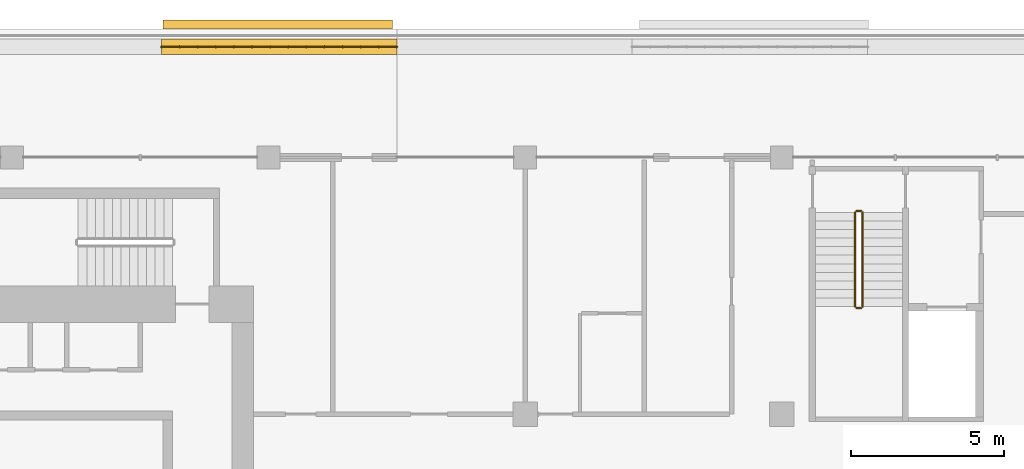
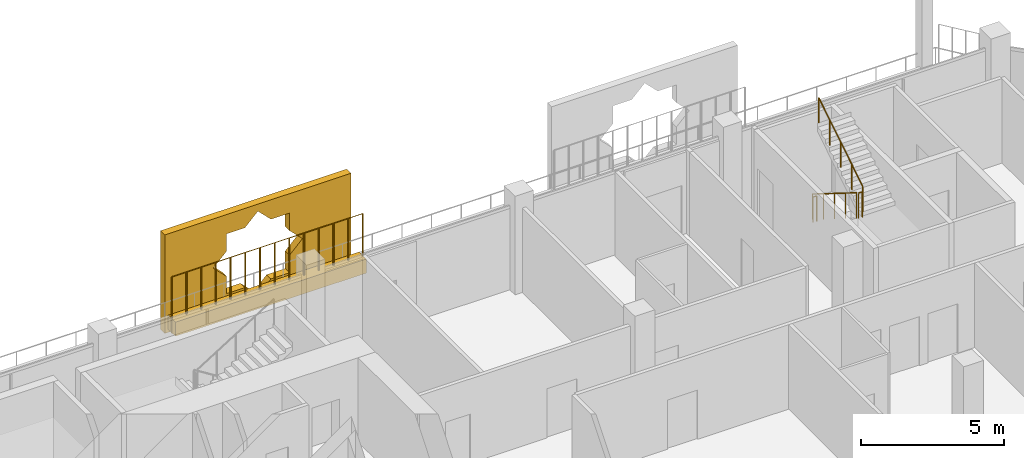
# One storey, part 20 of 21: 5 railings, 2 coverings.
"""IFC4 building model written with IfcOpenShell, lengths in metres."""

from ifc_helpers import new_model, si_unit, direction, frame, origin, origin_2d, place, context, subcontext, project, spatial, polyline, rectangle, circle, outline, extrude, material, material_profile, profile_set, type_object, element, save


model = new_model("IFC4")

# Units and contexts
model_context = context("Model", 3, precision=1e-05, world=origin(), true_north=direction((0.0, 1.0)))
body_context = subcontext(model_context, "Body", "Model", "MODEL_VIEW")
ifc_project = project(units=[si_unit("LENGTHUNIT", "METRE"), si_unit("AREAUNIT", "SQUARE_METRE"), si_unit("VOLUMEUNIT", "CUBIC_METRE"), si_unit("PLANEANGLEUNIT", "RADIAN"), si_unit("MASSUNIT", "GRAM", prefix="KILO")], contexts=[model_context])

# Site, building, storey
site_placement = place(None, origin())
site = spatial("IfcSite", under=ifc_project, at=site_placement, CompositionType="ELEMENT")
building_placement = place(site_placement, origin())
building = spatial("IfcBuilding", under=site, at=building_placement, Name="Kawkab Arch Medical Tower", CompositionType="ELEMENT")
storey_placement = place(building_placement, frame((0.0, 0.0, 302.800048828125)))
storey = spatial("IfcBuildingStorey", under=building, at=storey_placement, Name="L70", CompositionType="ELEMENT", Elevation=302.800048828125)

# Coverings
ifc_material_1 = material(Name="Bronze anodised aluminium mashrabiya panel, eight-point star pattern", Category="aluminium")
ifc_material_profile_1 = material_profile(ifc_material_1, outline(polyline([(-3.75, -2.10009765625), (3.75, -2.10009765625), (3.75, 2.10009765625), (-3.75, 2.10009765625), (-3.75, -2.10009765625)]), holes=[polyline([(1.800048828125, 0.0), (1.272705078125, 0.527099609375), (1.272705078125, 1.272705078125), (0.527099609375, 1.272705078125), (0.0, 1.800048828125), (-0.527099609375, 1.272705078125), (-1.272705078125, 1.272705078125), (-1.272705078125, 0.527099609375), (-1.800048828125, 0.0), (-1.272705078125, -0.527099609375), (-1.272705078125, -1.272705078125), (-0.527099609375, -1.272705078125), (0.0, -1.800048828125), (0.527099609375, -1.272705078125), (1.272705078125, -1.272705078125), (1.272705078125, -0.527099609375), (1.800048828125, 0.0)])]), Name="Mashrabiya panel 7500x4200")
ifc_profile_set_1 = profile_set([ifc_material_profile_1], Name="Bronze anodised aluminium mashrabiya panel, eight-point star pattern")
covering_type_1 = type_object("IfcCoveringType", Name="Mashrabiya panel 7500 x 4200", PredefinedType="USERDEFINED", material=ifc_profile_set_1)
covering_1_placement = place(storey_placement, frame((25.500732421875, 4.199951171875, 1.699951171875), z_axis=(0.0, 1.0, 0.0), x_axis=(-1.0, 0.0, 0.0)))
element("IfcCovering", 1, at=covering_1_placement, inside=storey, type_object=covering_type_1, Name="Mashrabiya panel L70.LOG-01-01.4", ObjectType="SCREEN", PredefinedType="USERDEFINED", context=body_context, shape_type="SweptSolid", body=[
    extrude(outline(polyline([(-3.75, -2.10009765625), (3.75, -2.10009765625), (3.75, 2.10009765625), (-3.75, 2.10009765625), (-3.75, -2.10009765625)]), holes=[polyline([(1.800048828125, 0.0), (1.272705078125, 0.527099609375), (1.272705078125, 1.272705078125), (0.527099609375, 1.272705078125), (0.0, 1.800048828125), (-0.527099609375, 1.272705078125), (-1.272705078125, 1.272705078125), (-1.272705078125, 0.527099609375), (-1.800048828125, 0.0), (-1.272705078125, -0.527099609375), (-1.272705078125, -1.272705078125), (-0.527099609375, -1.272705078125), (0.0, -1.800048828125), (0.527099609375, -1.272705078125), (1.272705078125, -1.272705078125), (1.272705078125, -0.527099609375), (1.800048828125, 0.0)])]), origin(), (0.0, 0.0, 1.0), 0.300048828125),
])
ifc_material_2 = material(Name="Planting soil in a precast trough", Category="concrete")
ifc_material_profile_2 = material_profile(ifc_material_2, rectangle(XDim=0.5, YDim=0.60009765625, at=origin_2d()), Name="Trough 500x600")
ifc_profile_set_2 = profile_set([ifc_material_profile_2], Name="Planting soil in a precast trough")
covering_type_2 = type_object("IfcCoveringType", Name="Planter trough 500 x 600", PredefinedType="USERDEFINED", material=ifc_profile_set_2)
covering_2_placement = place(storey_placement, frame((21.695068359375, 3.6201171875, 0.300048828125), z_axis=(1.0, 0.0, 0.0), x_axis=(0.0, 1.0, 0.0)))
element("IfcCovering", 2, at=covering_2_placement, inside=storey, type_object=covering_type_2, Name="Planter L70.LOG-01-01.15", ObjectType="PLANTER", PredefinedType="USERDEFINED", context=body_context, shape_type="SweptSolid", body=[
    extrude(rectangle(XDim=0.5, YDim=0.60009765625, at=origin_2d()), origin(), (0.0, 0.0, 1.0), 7.704833984375),
])

# Railings
ifc_material_3 = material(Name="Bronze anodised aluminium trellis for climbing plants", Category="aluminium")
railing_type_1 = type_object("IfcRailingType", Name="Planting trellis 2400", PredefinedType="USERDEFINED", material=ifc_material_3)
railing_1_placement = place(storey_placement, frame((21.695068359375, 3.6201171875, 0.0)))
element("IfcRailing", 3, at=railing_1_placement, inside=storey, type_object=railing_type_1, Name="Planting trellis L70.LOG-01-01.15", ObjectType="TRELLIS", PredefinedType="USERDEFINED", context=body_context, shape_type="SweptSolid", body=[
    extrude(circle(Radius=0.01513671875, at=origin_2d()), frame((0.0, 0.0, 2.384765625), z_axis=(1.0, 0.0, 0.0), x_axis=(0.0, 1.0, 0.0)), (0.0, 0.0, 1.0), 7.704833984375),
    extrude(circle(Radius=0.030029296875, at=origin_2d()), origin(), (0.0, 0.0, 1.0), 2.369873046875),
    extrude(circle(Radius=0.030029296875, at=origin_2d()), frame((0.5927734375, 0.0, 0.0)), (0.0, 0.0, 1.0), 2.369873046875),
    extrude(circle(Radius=0.030029296875, at=origin_2d()), frame((1.185302734375, 0.0, 0.0)), (0.0, 0.0, 1.0), 2.369873046875),
    extrude(circle(Radius=0.030029296875, at=origin_2d()), frame((1.778076171875, 0.0, 0.0)), (0.0, 0.0, 1.0), 2.369873046875),
    extrude(circle(Radius=0.030029296875, at=origin_2d()), frame((2.37060546875, 0.0, 0.0)), (0.0, 0.0, 1.0), 2.369873046875),
    extrude(circle(Radius=0.030029296875, at=origin_2d()), frame((2.96337890625, 0.0, 0.0)), (0.0, 0.0, 1.0), 2.369873046875),
    extrude(circle(Radius=0.030029296875, at=origin_2d()), frame((3.55615234375, 0.0, 0.0)), (0.0, 0.0, 1.0), 2.369873046875),
    extrude(circle(Radius=0.030029296875, at=origin_2d()), frame((4.148681640625, 0.0, 0.0)), (0.0, 0.0, 1.0), 2.369873046875),
    extrude(circle(Radius=0.030029296875, at=origin_2d()), frame((4.741455078125, 0.0, 0.0)), (0.0, 0.0, 1.0), 2.369873046875),
    extrude(circle(Radius=0.030029296875, at=origin_2d()), frame((5.334228515625, 0.0, 0.0)), (0.0, 0.0, 1.0), 2.369873046875),
    extrude(circle(Radius=0.030029296875, at=origin_2d()), frame((5.9267578125, 0.0, 0.0)), (0.0, 0.0, 1.0), 2.369873046875),
    extrude(circle(Radius=0.030029296875, at=origin_2d()), frame((6.51953125, 0.0, 0.0)), (0.0, 0.0, 1.0), 2.369873046875),
    extrude(circle(Radius=0.030029296875, at=origin_2d()), frame((7.112060546875, 0.0, 0.0)), (0.0, 0.0, 1.0), 2.369873046875),
    extrude(circle(Radius=0.030029296875, at=origin_2d()), frame((7.704833984375, 0.0, 0.0)), (0.0, 0.0, 1.0), 2.369873046875),
])
ifc_material_4 = material(Name="Stainless steel", Category="steel")
railing_type_2 = type_object("IfcRailingType", Name="Stair guard 1100", PredefinedType="GUARDRAIL", material=ifc_material_4)
railing_2_placement = place(storey_placement, frame((44.39990234375, -1.800048828125, 0.175048828125)))
element("IfcRailing", 4, at=railing_2_placement, inside=storey, type_object=railing_type_2, Name="L70 ST5 stair guard 1", PredefinedType="GUARDRAIL", context=body_context, shape_type="SweptSolid", body=[
    extrude(circle(Radius=0.02392578125, at=origin_2d()), frame((0.0, 0.0, 1.076171875), z_axis=(0.0, -0.848009633417, 0.529980812513), x_axis=(1.0, 0.0, 0.0)), (0.0, 0.0, 1.0), 3.6318359375),
    extrude(circle(Radius=0.02099609375, at=origin_2d()), origin(), (0.0, 0.0, 1.0), 1.052001953125),
    extrude(circle(Radius=0.02099609375, at=origin_2d()), frame((0.0, -0.77001953125, 0.481201171875)), (0.0, 0.0, 1.0), 1.052001953125),
    extrude(circle(Radius=0.02099609375, at=origin_2d()), frame((0.0, -1.5400390625, 0.96240234375)), (0.0, 0.0, 1.0), 1.052001953125),
    extrude(circle(Radius=0.02099609375, at=origin_2d()), frame((0.0, -2.309814453125, 1.443603515625)), (0.0, 0.0, 1.0), 1.052001953125),
    extrude(circle(Radius=0.02099609375, at=origin_2d()), frame((0.0, -3.079833984375, 1.9248046875)), (0.0, 0.0, 1.0), 1.052001953125),
])
railing_3_placement = place(storey_placement, frame((44.449951171875, -4.929931640625, 2.099853515625)))
element("IfcRailing", 5, at=railing_3_placement, inside=storey, type_object=railing_type_2, Name="L70 ST5 stair guard 2", PredefinedType="GUARDRAIL", context=body_context, shape_type="SweptSolid", body=[
    extrude(circle(Radius=0.02392578125, at=origin_2d()), frame((0.0, 0.0, 1.076171875), z_axis=(1.0, 0.0, 0.0), x_axis=(0.0, 1.0, 0.0)), (0.0, 0.0, 1.0), 0.150146484375),
    extrude(circle(Radius=0.02099609375, at=origin_2d()), origin(), (0.0, 0.0, 1.0), 1.052001953125),
    extrude(circle(Radius=0.02099609375, at=origin_2d()), frame((0.150146484375, 0.0, 0.0)), (0.0, 0.0, 1.0), 1.052001953125),
])
railing_4_placement = place(storey_placement, frame((44.64990234375, -4.8798828125, 2.27490234375)))
element("IfcRailing", 6, at=railing_4_placement, inside=storey, type_object=railing_type_2, Name="L70 ST5 stair guard 3", PredefinedType="GUARDRAIL", context=body_context, shape_type="SweptSolid", body=[
    extrude(circle(Radius=0.02392578125, at=origin_2d()), frame((0.0, 0.0, 1.076171875), z_axis=(0.0, 0.847979421464, 0.530029150871), x_axis=(-1.0, 0.0, 0.0)), (0.0, 0.0, 1.0), 3.632080078125),
    extrude(circle(Radius=0.02099609375, at=origin_2d()), origin(), (0.0, 0.0, 1.0), 1.052001953125),
    extrude(circle(Radius=0.02099609375, at=origin_2d()), frame((0.0, 0.77001953125, 0.481201171875)), (0.0, 0.0, 1.0), 1.052001953125),
    extrude(circle(Radius=0.02099609375, at=origin_2d()), frame((0.0, 1.5400390625, 0.96240234375)), (0.0, 0.0, 1.0), 1.052001953125),
    extrude(circle(Radius=0.02099609375, at=origin_2d()), frame((0.0, 2.309814453125, 1.44384765625)), (0.0, 0.0, 1.0), 1.052001953125),
    extrude(circle(Radius=0.02099609375, at=origin_2d()), frame((0.0, 3.079833984375, 1.925048828125)), (0.0, 0.0, 1.0), 1.052001953125),
])
railing_5_placement = place(storey_placement, frame((44.449951171875, -1.75, 0.0)))
element("IfcRailing", 7, at=railing_5_placement, inside=storey, type_object=railing_type_2, Name="L70 ST5 stair guard 4", PredefinedType="GUARDRAIL", context=body_context, shape_type="SweptSolid", body=[
    extrude(circle(Radius=0.02392578125, at=origin_2d()), frame((0.0, 0.0, 1.076171875), z_axis=(1.0, 0.0, 0.0), x_axis=(0.0, 1.0, 0.0)), (0.0, 0.0, 1.0), 0.150146484375),
    extrude(circle(Radius=0.02099609375, at=origin_2d()), origin(), (0.0, 0.0, 1.0), 1.052001953125),
    extrude(circle(Radius=0.02099609375, at=origin_2d()), frame((0.150146484375, 0.0, 0.0)), (0.0, 0.0, 1.0), 1.052001953125),
])

save(model, "model.ifc")
